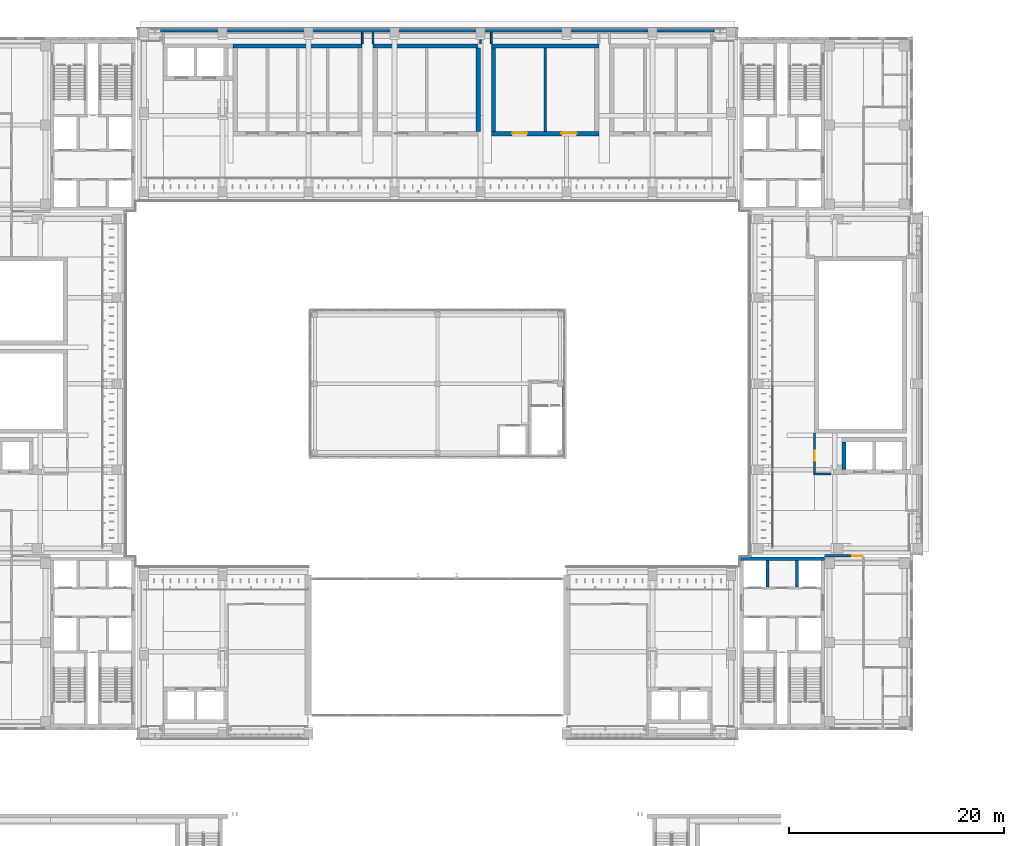
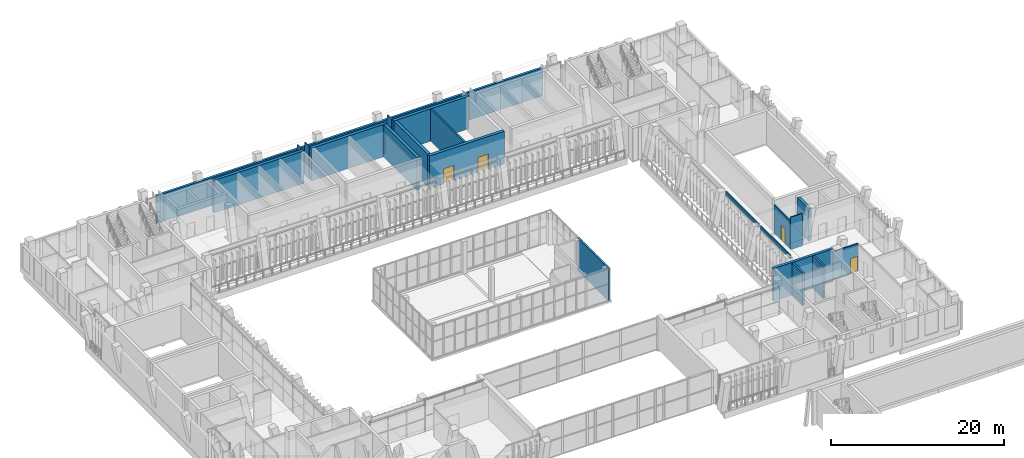
# One storey, part 67 of 92: 22 walls, 4 doors, 4 openings.
"""IFC4 building model written with IfcOpenShell, lengths in metres."""

from ifc_helpers import new_model, si_unit, direction, frame, frame_2d, origin, place, context, subcontext, project, spatial, rectangle, extrude, material, layer, layer_set, type_object, element, fill, save


model = new_model("IFC4")

# Units and contexts
model_context = context("Model", 3, precision=1e-05, world=origin(), true_north=direction((0.0, 1.0)))
body_context = subcontext(model_context, "Body", "Model", "MODEL_VIEW")
ifc_project = project(units=[si_unit("LENGTHUNIT", "METRE"), si_unit("AREAUNIT", "SQUARE_METRE"), si_unit("VOLUMEUNIT", "CUBIC_METRE"), si_unit("PLANEANGLEUNIT", "RADIAN"), si_unit("MASSUNIT", "GRAM", prefix="KILO")], contexts=[model_context])

# Site, building, storey
site_placement = place(None, origin())
site = spatial("IfcSite", under=ifc_project, at=site_placement, CompositionType="ELEMENT")
building_placement = place(site_placement, origin())
building = spatial("IfcBuilding", under=site, at=building_placement, Name="Lantern Court Media Centre", CompositionType="ELEMENT")
storey_placement = place(building_placement, frame((0.0, 0.0, 4.800048828125)))
storey = spatial("IfcBuildingStorey", under=building, at=storey_placement, Name="L01", CompositionType="ELEMENT", Elevation=4.800048828125)

# Walls
ifc_material_1 = material(Name="Insulated rendered blockwork", Category="masonry")
ifc_layer_1 = layer(ifc_material_1, 0.14990234375)
ifc_layer_set_1 = layer_set([ifc_layer_1], Name="Insulated rendered blockwork")
wall_type_1 = type_object("IfcWallType", Name="Head infill wall 150", PredefinedType="SOLIDWALL", material=ifc_layer_set_1)
wall_1_placement = place(storey_placement, frame((83.14990234375, 64.89990234375, 4.099853515625), z_axis=(0.0, 0.0, 1.0), x_axis=(0.0, 1.0, 0.0)))
element("IfcWall", 1, at=wall_1_placement, inside=storey, type_object=wall_type_1, Name="Head infill wall E inner L01", PredefinedType="SOLIDWALL", context=body_context, shape_type="SweptSolid", body=[
    extrude(rectangle(XDim=6.900146484375, YDim=0.14990234375, at=frame_2d((3.4501953125, 0.0))), origin(), (0.0, 0.0, 1.0), 0.47998046875),
])
wall_2_placement = place(storey_placement, frame((83.14990234375, 72.199951171875, 4.099853515625), z_axis=(0.0, 0.0, 1.0), x_axis=(0.0, 1.0, 0.0)))
element("IfcWall", 2, at=wall_2_placement, inside=storey, type_object=wall_type_1, Name="Head infill wall E inner L01", PredefinedType="SOLIDWALL", context=body_context, shape_type="SweptSolid", body=[
    extrude(rectangle(XDim=7.60009765625, YDim=0.14990234375, at=frame_2d((3.800048828125, 0.0))), origin(), (0.0, 0.0, 1.0), 0.47998046875),
])
ifc_material_2 = material(Name="Honed limestone cladding on blockwork", Category="masonry")
ifc_layer_2 = layer(ifc_material_2, 0.300048828125)
ifc_layer_set_2 = layer_set([ifc_layer_2], Name="Honed limestone cladding on blockwork")
wall_type_2 = type_object("IfcWallType", Name="Limestone flank wall 300", PredefinedType="SOLIDWALL", material=ifc_layer_set_2)
wall_3_placement = place(storey_placement, frame((26.25, 112.85009765625, 0.0), z_axis=(0.0, 0.0, 1.0), x_axis=(1.0, 0.0, 0.0)))
element("IfcWall", 3, at=wall_3_placement, inside=storey, type_object=wall_type_2, Name="Limestone flank wall N outer L01", PredefinedType="SOLIDWALL", context=body_context, shape_type="SweptSolid", body=[
    extrude(rectangle(XDim=51.5, YDim=0.300048828125, at=frame_2d((25.75, 0.0))), origin(), (0.0, 0.0, 1.0), 3.89990234375),
])

# Wall, opening, door
ifc_material_3 = material(Name="Fire-rated gypsum board")
ifc_layer_3 = layer(ifc_material_3, 0.199951171875)
ifc_layer_set_3 = layer_set([ifc_layer_3], Name="Fire-rated gypsum board")
wall_type_3 = type_object("IfcWallType", Name="Movement-joint compartment wall 200", PredefinedType="PARTITIONING", material=ifc_layer_set_3)
wall_4_placement = place(storey_placement, frame((88.0, 64.0, 0.0), z_axis=(0.0, 0.0, 1.0), x_axis=(1.0, 0.0, 0.0)))
wall_4 = element("IfcWall", 4, at=wall_4_placement, inside=storey, type_object=wall_type_3, Name="L01 movement-joint wall 06", PredefinedType="PARTITIONING", context=body_context, shape_type="SweptSolid", body=[
    extrude(rectangle(XDim=3.60009765625, YDim=0.199951171875, at=frame_2d((1.800048828125, 0.0))), origin(), (0.0, 0.0, 1.0), 3.8798828125),
])
opening_1_placement = place(wall_4_placement, frame((2.550048828125, 0.0, 0.0)))
opening_1 = element("IfcOpeningElement", 5, at=opening_1_placement, cuts=wall_4, Name="Opening L01-J06", PredefinedType="OPENING", context=body_context, shape_type="SweptSolid", body=[
    extrude(rectangle(XDim=1.0, YDim=2.10009765625, at=frame_2d((0.5, 1.050048828125))), frame((0.0, 0.10986328125, 0.0), z_axis=(0.0, -1.0, 0.0), x_axis=(1.0, 0.0, 0.0)), (0.0, 0.0, 1.0), 0.219970703125),
])
ifc_material_4 = material(Name="Steel door leaf", Category="steel")
door_type_1 = type_object("IfcDoorType", Name="Movement-joint fire door 1000x2100", OperationType="NOTDEFINED", PredefinedType="DOOR", material=ifc_material_4)
door_1_placement = place(opening_1_placement, frame((1.0, 0.0, 0.0), z_axis=(0.0, 0.0, 1.0), x_axis=(-1.0, 0.0, 0.0)))
door_1 = element("IfcDoor", 6, at=door_1_placement, inside=storey, type_object=door_type_1, Name="L01 bar end lobby door 06", OperationType="SINGLE_SWING_LEFT", OverallHeight=2.10009765625, OverallWidth=1.0, PredefinedType="DOOR", context=body_context, shape_type="SweptSolid", body=[
    extrude(rectangle(XDim=1.0, YDim=2.10009765625, at=frame_2d((0.5, 1.050048828125))), frame((0.0, 0.02490234375, 0.0), z_axis=(0.0, -1.0, 0.0), x_axis=(1.0, 0.0, 0.0)), (0.0, 0.0, 1.0), 0.050048828125),
])
fill(opening_1, door_1)

# Wall
ifc_material_5 = material(Name="Concrete blockwork C20", Category="masonry")
ifc_layer_4 = layer(ifc_material_5, 0.14990234375)
ifc_layer_set_4 = layer_set([ifc_layer_4], Name="Concrete blockwork C20")
wall_type_4 = type_object("IfcWallType", Name="Partition 150 masonry", PredefinedType="PARTITIONING", material=ifc_layer_set_4)
wall_5_placement = place(storey_placement, frame((86.97509765625, 71.60009765625, 0.0), z_axis=(0.0, 0.0, 1.0), x_axis=(1.0, 0.0, 0.0)))
element("IfcWall", 7, at=wall_5_placement, inside=storey, type_object=wall_type_4, Name="L01 partition 035", PredefinedType="PARTITIONING", context=body_context, shape_type="SweptSolid", body=[
    extrude(rectangle(XDim=1.594970703125, YDim=0.14990234375, at=frame_2d((0.79736328125, 0.0))), origin(), (0.0, 0.0, 1.0), 4.56005859375),
])

# Wall, opening, door
wall_6_placement = place(storey_placement, frame((87.050048828125, 71.675048828125, 0.0), z_axis=(0.0, 0.0, 1.0), x_axis=(0.0, 1.0, 0.0)))
wall_6 = element("IfcWall", 8, at=wall_6_placement, inside=storey, type_object=wall_type_4, Name="L01 partition 039", PredefinedType="PARTITIONING", context=body_context, shape_type="SweptSolid", body=[
    extrude(rectangle(XDim=3.724853515625, YDim=0.14990234375, at=frame_2d((1.8623046875, 0.0))), origin(), (0.0, 0.0, 1.0), 3.97998046875),
])
opening_2_placement = place(wall_6_placement, frame((1.14990234375, 0.0, 0.0)))
opening_2 = element("IfcOpeningElement", 9, at=opening_2_placement, cuts=wall_6, Name="Opening L01-019", PredefinedType="OPENING", context=body_context, shape_type="SweptSolid", body=[
    extrude(rectangle(XDim=0.949951171875, YDim=2.10009765625, at=frame_2d((0.47509765625, 1.050048828125))), frame((0.0, 0.0849609375, 0.0), z_axis=(0.0, -1.0, 0.0), x_axis=(1.0, 0.0, 0.0)), (0.0, 0.0, 1.0), 0.169921875),
])
ifc_material_6 = material(Name="Solid-core timber door leaf", Category="wood")
door_type_2 = type_object("IfcDoorType", Name="Accessible WC door 950x2100", OperationType="NOTDEFINED", PredefinedType="DOOR", material=ifc_material_6)
door_2_placement = place(opening_2_placement, frame((0.949951171875, 0.0, 0.0), z_axis=(0.0, 0.0, 1.0), x_axis=(-1.0, 0.0, 0.0)))
door_2 = element("IfcDoor", 10, at=door_2_placement, inside=storey, type_object=door_type_2, Name="L01 Accessible WC door", OperationType="SINGLE_SWING_RIGHT", OverallHeight=2.10009765625, OverallWidth=0.949951171875, PredefinedType="DOOR", context=body_context, shape_type="SweptSolid", body=[
    extrude(rectangle(XDim=0.949951171875, YDim=2.10009765625, at=frame_2d((0.47509765625, 1.050048828125))), frame((0.0, 0.02490234375, 0.0), z_axis=(0.0, -1.0, 0.0), x_axis=(1.0, 0.0, 0.0)), (0.0, 0.0, 1.0), 0.050048828125),
])
fill(opening_2, door_2)

# Walls
ifc_material_7 = material(Name="Concrete C40", Category="concrete")
ifc_layer_5 = layer(ifc_material_7, 0.35009765625)
ifc_layer_set_5 = layer_set([ifc_layer_5], Name="Concrete C40")
wall_type_5 = type_object("IfcWallType", Name="RC CORE WALL 350", PredefinedType="SHEAR", material=ifc_layer_set_5)
wall_7_placement = place(storey_placement, frame((80.10009765625, 63.72509765625, 0.0), z_axis=(0.0, 0.0, 1.0), x_axis=(1.0, 0.0, 0.0)))
element("IfcWall", 11, at=wall_7_placement, inside=storey, type_object=wall_type_5, Name="WC-SE-L01-N", PredefinedType="SHEAR", context=body_context, shape_type="SweptSolid", body=[
    extrude(rectangle(XDim=7.89990234375, YDim=0.35009765625, at=frame_2d((3.949951171875, 0.0))), origin(), (0.0, 0.0, 1.0), 4.579833984375),
])
ifc_layer_6 = layer(ifc_material_7, 0.39990234375)
ifc_layer_set_6 = layer_set([ifc_layer_6], Name="Concrete C40")
wall_type_6 = type_object("IfcWallType", Name="RC SHEAR WALL 400", PredefinedType="SHEAR", material=ifc_layer_set_6)
wall_8_placement = place(storey_placement, frame((89.800048828125, 72.0, 0.0), z_axis=(0.0, 0.0, 1.0), x_axis=(0.0, 1.0, 0.0)))
element("IfcWall", 12, at=wall_8_placement, inside=storey, type_object=wall_type_6, Name="WB-E-LC-L01-W", PredefinedType="SHEAR", context=body_context, shape_type="SweptSolid", body=[
    extrude(rectangle(XDim=2.60009765625, YDim=0.39990234375, at=frame_2d((1.300048828125, 0.0))), origin(), (0.0, 0.0, 1.0), 4.579833984375),
])
wall_9_placement = place(storey_placement, frame((33.0, 111.39990234375, 0.0), z_axis=(0.0, 0.0, 1.0), x_axis=(1.0, 0.0, 0.0)))
element("IfcWall", 13, at=wall_9_placement, inside=storey, type_object=wall_type_6, Name="WB-N-EDA-L01-N", PredefinedType="SHEAR", context=body_context, shape_type="SweptSolid", body=[
    extrude(rectangle(XDim=12.0, YDim=0.39990234375, at=frame_2d((6.0, 0.0))), origin(), (0.0, 0.0, 1.0), 4.579833984375),
])
wall_10_placement = place(storey_placement, frame((46.0, 111.39990234375, 0.0), z_axis=(0.0, 0.0, 1.0), x_axis=(1.0, 0.0, 0.0)))
element("IfcWall", 14, at=wall_10_placement, inside=storey, type_object=wall_type_6, Name="WB-N-MIX-L01-N", PredefinedType="SHEAR", context=body_context, shape_type="SweptSolid", body=[
    extrude(rectangle(XDim=10.0, YDim=0.39990234375, at=frame_2d((5.0, 0.0))), origin(), (0.0, 0.0, 1.0), 4.579833984375),
])
wall_11_placement = place(storey_placement, frame((55.800048828125, 103.449951171875, 0.0), z_axis=(0.0, 0.0, 1.0), x_axis=(0.0, 1.0, 0.0)))
element("IfcWall", 15, at=wall_11_placement, inside=storey, type_object=wall_type_6, Name="WB-N-MIX-L01-E", PredefinedType="SHEAR", context=body_context, shape_type="SweptSolid", body=[
    extrude(rectangle(XDim=7.75, YDim=0.39990234375, at=frame_2d((3.875, 0.0))), origin(), (0.0, 0.0, 1.0), 4.579833984375),
])

# Wall, openings, doors
wall_12_placement = place(storey_placement, frame((57.0, 103.25, 0.0), z_axis=(0.0, 0.0, 1.0), x_axis=(1.0, 0.0, 0.0)))
wall_12 = element("IfcWall", 16, at=wall_12_placement, inside=storey, type_object=wall_type_6, Name="WB-N-SRV-L01-S", PredefinedType="SHEAR", context=body_context, shape_type="SweptSolid", body=[
    extrude(rectangle(XDim=10.0, YDim=0.39990234375, at=frame_2d((5.0, 0.0))), origin(), (0.0, 0.0, 1.0), 4.579833984375),
])
opening_3_placement = place(wall_12_placement, frame((1.925048828125, 0.0, 0.0)))
opening_3 = element("IfcOpeningElement", 17, at=opening_3_placement, cuts=wall_12, Name="Opening L01-009", PredefinedType="OPENING", context=body_context, shape_type="SweptSolid", body=[
    extrude(rectangle(XDim=1.39990234375, YDim=2.10009765625, at=frame_2d((0.699951171875, 1.050048828125))), frame((0.0, 0.2099609375, 0.0), z_axis=(0.0, -1.0, 0.0), x_axis=(1.0, 0.0, 0.0)), (0.0, 0.0, 1.0), 0.419921875),
])
opening_4_placement = place(wall_12_placement, frame((6.52490234375, 0.0, 0.0)))
opening_4 = element("IfcOpeningElement", 18, at=opening_4_placement, cuts=wall_12, Name="Opening L01-010", PredefinedType="OPENING", context=body_context, shape_type="SweptSolid", body=[
    extrude(rectangle(XDim=1.39990234375, YDim=2.10009765625, at=frame_2d((0.699951171875, 1.050048828125))), frame((0.0, 0.2099609375, 0.0), z_axis=(0.0, -1.0, 0.0), x_axis=(1.0, 0.0, 0.0)), (0.0, 0.0, 1.0), 0.419921875),
])
door_type_3 = type_object("IfcDoorType", Name="Server hall fire door 1400x2100", OperationType="NOTDEFINED", PredefinedType="DOOR", material=ifc_material_4)
door_3_placement = place(opening_3_placement, origin())
door_3 = element("IfcDoor", 19, at=door_3_placement, inside=storey, type_object=door_type_3, Name="L01 Server Room 02 door", OperationType="SINGLE_SWING_RIGHT", OverallHeight=2.10009765625, OverallWidth=1.39990234375, PredefinedType="DOOR", context=body_context, shape_type="SweptSolid", body=[
    extrude(rectangle(XDim=1.39990234375, YDim=2.10009765625, at=frame_2d((0.699951171875, 1.050048828125))), frame((0.0, 0.02490234375, 0.0), z_axis=(0.0, -1.0, 0.0), x_axis=(1.0, 0.0, 0.0)), (0.0, 0.0, 1.0), 0.050048828125),
])
fill(opening_3, door_3)
door_4_placement = place(opening_4_placement, origin())
door_4 = element("IfcDoor", 20, at=door_4_placement, inside=storey, type_object=door_type_3, Name="L01 Render Room 02 door", OperationType="SINGLE_SWING_LEFT", OverallHeight=2.10009765625, OverallWidth=1.39990234375, PredefinedType="DOOR", context=body_context, shape_type="SweptSolid", body=[
    extrude(rectangle(XDim=1.39990234375, YDim=2.10009765625, at=frame_2d((0.699951171875, 1.050048828125))), frame((0.0, 0.02490234375, 0.0), z_axis=(0.0, -1.0, 0.0), x_axis=(1.0, 0.0, 0.0)), (0.0, 0.0, 1.0), 0.050048828125),
])
fill(opening_4, door_4)

# Walls
wall_13_placement = place(storey_placement, frame((57.0, 111.39990234375, 0.0), z_axis=(0.0, 0.0, 1.0), x_axis=(1.0, 0.0, 0.0)))
element("IfcWall", 21, at=wall_13_placement, inside=storey, type_object=wall_type_6, Name="WB-N-SRV-L01-N", PredefinedType="SHEAR", context=body_context, shape_type="SweptSolid", body=[
    extrude(rectangle(XDim=10.0, YDim=0.39990234375, at=frame_2d((5.0, 0.0))), origin(), (0.0, 0.0, 1.0), 4.579833984375),
])
wall_14_placement = place(storey_placement, frame((57.199951171875, 103.449951171875, 0.0), z_axis=(0.0, 0.0, 1.0), x_axis=(0.0, 1.0, 0.0)))
element("IfcWall", 22, at=wall_14_placement, inside=storey, type_object=wall_type_6, Name="WB-N-SRV-L01-W", PredefinedType="SHEAR", context=body_context, shape_type="SweptSolid", body=[
    extrude(rectangle(XDim=7.75, YDim=0.39990234375, at=frame_2d((3.875, 0.0))), origin(), (0.0, 0.0, 1.0), 4.579833984375),
])
ifc_layer_7 = layer(ifc_material_7, 0.25)
ifc_layer_set_7 = layer_set([ifc_layer_7], Name="Concrete C40")
wall_type_7 = type_object("IfcWallType", Name="RC lift shaft wall 250", PredefinedType="SOLIDWALL", material=ifc_layer_set_7)
for number, where, z_axis, x_axis, name in (
    (23, (85.425048828125, 61.10009765625, 0.0), (0.0, 0.0, 1.0), (0.0, 1.0, 0.0), "L01 SE L1b"),
    (24, (82.675048828125, 61.10009765625, 0.0), (0.0, 0.0, 1.0), (0.0, 1.0, 0.0), "L01 SE L2b"),
):
    element("IfcWall", number, at=place(storey_placement, frame(where, z_axis=z_axis, x_axis=x_axis)), inside=storey, type_object=wall_type_7, Name=name, PredefinedType="SOLIDWALL", context=body_context, shape_type="SweptSolid", body=[
        extrude(rectangle(XDim=2.449951171875, YDim=0.25, at=frame_2d((1.22509765625, 0.0))), origin(), (0.0, 0.0, 1.0), 4.550048828125),
    ])
ifc_layer_8 = layer(ifc_material_7, 0.25)
ifc_layer_set_8 = layer_set([ifc_layer_8], Name="Concrete C40")
wall_type_8 = type_object("IfcWallType", Name="RC stair shaft wall 250", PredefinedType="SOLIDWALL", material=ifc_layer_set_8)
wall_15_placement = place(storey_placement, frame((63.72509765625, 73.14990234375, 0.0), z_axis=(0.0, 0.0, 1.0), x_axis=(0.0, 1.0, 0.0)))
element("IfcWall", 25, at=wall_15_placement, inside=storey, type_object=wall_type_8, Name="L01 PRESS-ST shaft wall E", PredefinedType="SOLIDWALL", context=body_context, shape_type="SweptSolid", body=[
    extrude(rectangle(XDim=7.10009765625, YDim=0.25, at=frame_2d((3.550048828125, 0.0))), origin(), (0.0, 0.0, 1.0), 4.550048828125),
])
ifc_layer_9 = layer(ifc_material_3, 0.159912109375)
ifc_layer_set_9 = layer_set([ifc_layer_9], Name="Fire-rated gypsum board")
wall_type_9 = type_object("IfcWallType", Name="Riser shaft liner wall 160", PredefinedType="PARTITIONING", material=ifc_layer_set_9)
for number, where, z_axis, x_axis, name in (
    (26, (45.0, 111.60498046875, 0.0), (0.0, 0.0, 1.0), (0.0, 1.0, 0.0), "L01 partition 013"),
    (27, (46.0, 111.60498046875, 0.0), (0.0, 0.0, 1.0), (0.0, 1.0, 0.0), "L01 partition 015"),
):
    element("IfcWall", number, at=place(storey_placement, frame(where, z_axis=z_axis, x_axis=x_axis)), inside=storey, type_object=wall_type_9, Name=name, PredefinedType="PARTITIONING", context=body_context, shape_type="SweptSolid", body=[
        extrude(rectangle(XDim=1.090087890625, YDim=0.159912109375, at=frame_2d((0.544921875, 0.0))), origin(), (0.0, 0.0, 1.0), 4.56005859375),
    ])
wall_16_placement = place(storey_placement, frame((56.0, 111.60498046875, 0.0), z_axis=(0.0, 0.0, 1.0), x_axis=(0.0, 1.0, 0.0)))
element("IfcWall", 28, at=wall_16_placement, inside=storey, type_object=wall_type_9, Name="L01 partition 016", PredefinedType="PARTITIONING", context=body_context, shape_type="SweptSolid", body=[
    extrude(rectangle(XDim=0.364990234375, YDim=0.159912109375, at=frame_2d((0.1826171875, 0.0))), origin(), (0.0, 0.0, 1.0), 3.97998046875),
])
wall_17_placement = place(storey_placement, frame((57.0, 111.60498046875, 0.0), z_axis=(0.0, 0.0, 1.0), x_axis=(0.0, 1.0, 0.0)))
element("IfcWall", 29, at=wall_17_placement, inside=storey, type_object=wall_type_9, Name="L01 partition 019", PredefinedType="PARTITIONING", context=body_context, shape_type="SweptSolid", body=[
    extrude(rectangle(XDim=1.090087890625, YDim=0.159912109375, at=frame_2d((0.544921875, 0.0))), origin(), (0.0, 0.0, 1.0), 4.56005859375),
])
ifc_layer_10 = layer(ifc_material_3, 0.219970703125)
ifc_layer_set_10 = layer_set([ifc_layer_10], Name="Fire-rated gypsum board")
wall_type_10 = type_object("IfcWallType", Name="Server room fire wall 220", PredefinedType="PARTITIONING", material=ifc_layer_set_10)
wall_18_placement = place(storey_placement, frame((62.0, 103.455078125, 0.0), z_axis=(0.0, 0.0, 1.0), x_axis=(0.0, 1.0, 0.0)))
element("IfcWall", 30, at=wall_18_placement, inside=storey, type_object=wall_type_10, Name="L01 partition 017", PredefinedType="PARTITIONING", context=body_context, shape_type="SweptSolid", body=[
    extrude(rectangle(XDim=7.739990234375, YDim=0.219970703125, at=frame_2d((3.8701171875, 0.0))), origin(), (0.0, 0.0, 1.0), 4.56005859375),
])

save(model, "model.ifc")
